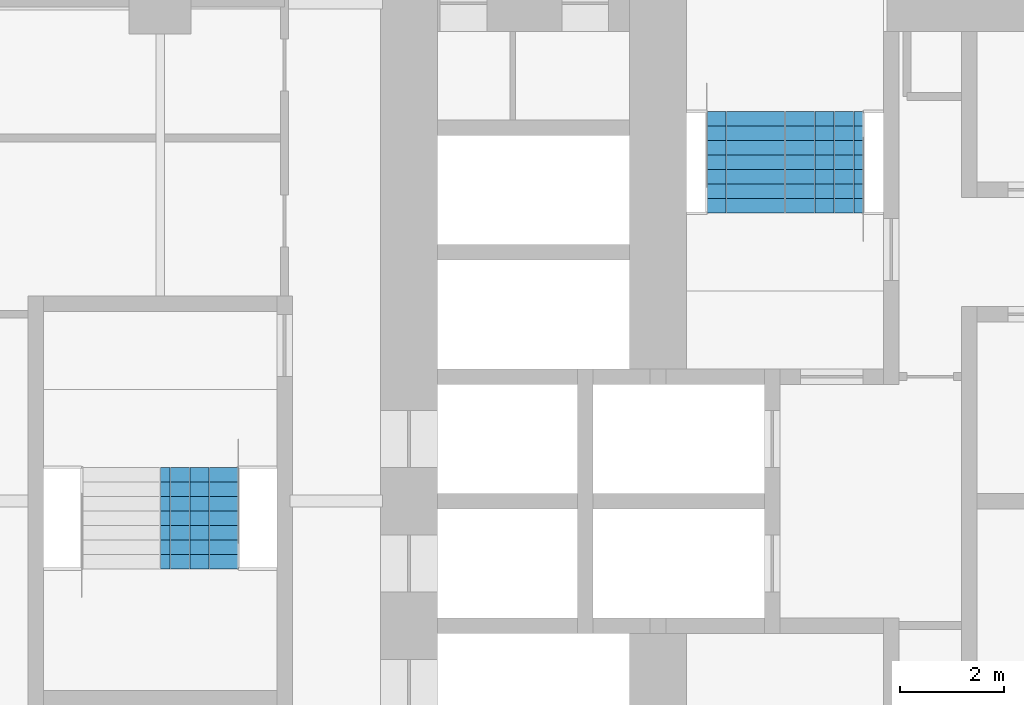
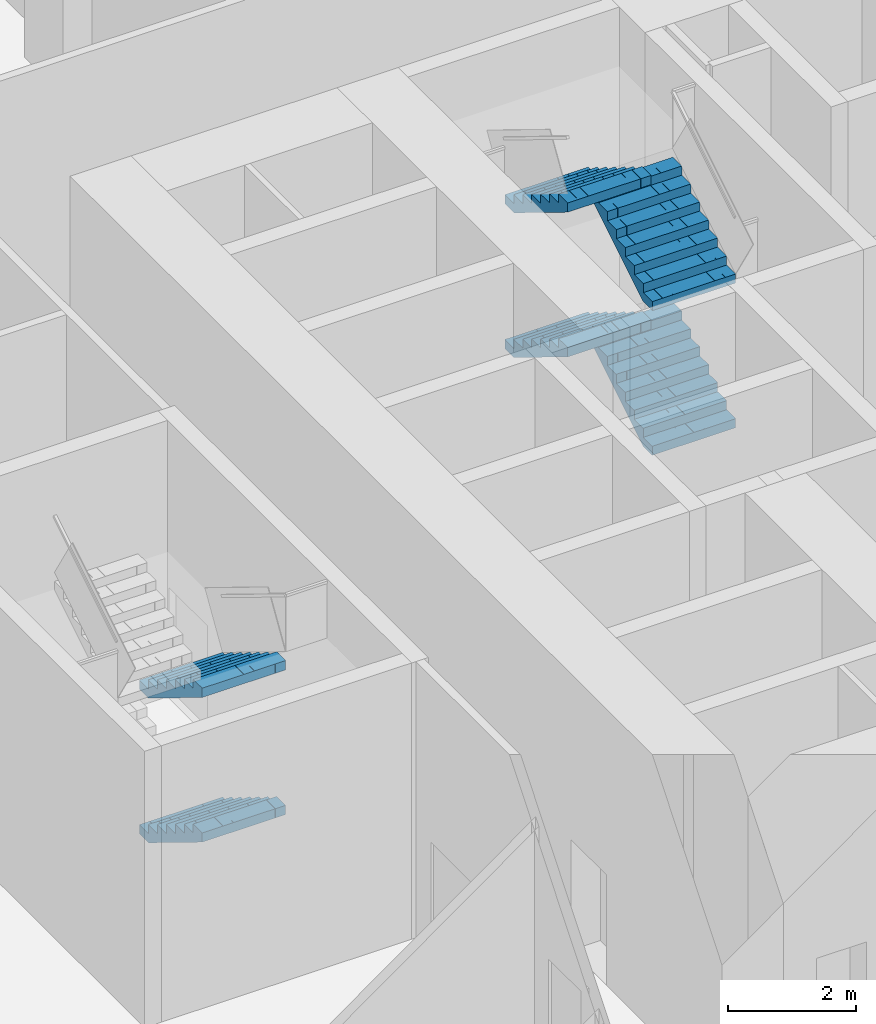
# One storey, part 24 of 27: 6 stair flights, 2 elements without a shape of their own.
"""IFC4 building model written with IfcOpenShell, lengths in metres."""

from ifc_helpers import new_model, si_unit, direction, frame, origin, place, context, subcontext, project, spatial, polyline, outline, extrude, material, type_object, element, aggregate, save


model = new_model("IFC4")

# Units and contexts
model_context = context("Model", 3, precision=1e-05, world=origin(), true_north=direction((0.0, 1.0)))
body_context = subcontext(model_context, "Body", "Model", "MODEL_VIEW")
ifc_project = project(units=[si_unit("LENGTHUNIT", "METRE"), si_unit("AREAUNIT", "SQUARE_METRE"), si_unit("VOLUMEUNIT", "CUBIC_METRE"), si_unit("PLANEANGLEUNIT", "RADIAN"), si_unit("MASSUNIT", "GRAM", prefix="KILO")], contexts=[model_context])

# Site, building, storey
site_placement = place(None, origin())
site = spatial("IfcSite", under=ifc_project, at=site_placement, CompositionType="ELEMENT")
building_placement = place(site_placement, origin())
building = spatial("IfcBuilding", under=site, at=building_placement, Name="Kolab Exchange Tower", CompositionType="ELEMENT")
storey_placement = place(building_placement, frame((0.0, 0.0, 27.89990234375)))
storey = spatial("IfcBuildingStorey", under=building, at=storey_placement, Name="L05", CompositionType="ELEMENT", Elevation=27.89990234375)

# Stair, stair flights
ifc_material = material(Name="Concrete C50/60", Category="concrete")
stair_type_1 = type_object("IfcStairType", Name="STAIR ST1 RISER 171.9", PredefinedType="DOUBLE_RETURN_STAIR", material=ifc_material)
stair_1_placement = place(storey_placement, origin())
stair_1 = element("IfcStair", 1, at=stair_1_placement, inside=storey, type_object=stair_type_1, Name="Stair 1", PredefinedType="DOUBLE_RETURN_STAIR")
stair_flight_type = type_object("IfcStairFlightType", Name="STAIR FLIGHT 1500 RISER 171.9", PredefinedType="STRAIGHT", material=ifc_material)
stair_flight_1_placement = place(storey_placement, frame((-6.389892578125, 5.550048828125, 0.0), z_axis=(0.0, 0.0, 1.0), x_axis=(0.0, 1.0, 0.0)))
stair_flight_1 = element("IfcStairFlight", 2, at=stair_flight_1_placement, type_object=stair_flight_type, Name="ST1 flight 1", NumberOfRisers=8, NumberOfTreads=7, PredefinedType="STRAIGHT", RiserHeight=0.171875, TreadLength=0.28, context=body_context, shape_type="SweptSolid", body=[
    extrude(outline(polyline([(0.0, 0.0), (0.0, 0.171875), (0.280029296875, 0.171875), (0.280029296875, 0.34375), (0.56005859375, 0.34375), (0.56005859375, 0.515625), (0.840087890625, 0.515625), (0.840087890625, 0.6875), (1.1201171875, 0.6875), (1.1201171875, 0.859375), (1.39990234375, 0.859375), (1.39990234375, 1.03125), (1.679931640625, 1.03125), (1.679931640625, 1.203125), (1.9599609375, 1.203125), (1.9599609375, 1.375), (1.9599609375, 1.02734375), (0.28662109375, 0.0), (0.0, 0.0)])), frame((0.0, 0.75, 0.0), z_axis=(0.0, -1.0, 0.0), x_axis=(1.0, 0.0, 0.0)), (0.0, 0.0, 1.0), 0.185791015625),
    extrude(outline(polyline([(0.0, 0.0), (0.0, 0.171875), (0.280029296875, 0.171875), (0.280029296875, 0.34375), (0.56005859375, 0.34375), (0.56005859375, 0.515625), (0.840087890625, 0.515625), (0.840087890625, 0.6875), (1.1201171875, 0.6875), (1.1201171875, 0.859375), (1.39990234375, 0.859375), (1.39990234375, 1.03125), (1.679931640625, 1.03125), (1.679931640625, 1.203125), (1.9599609375, 1.203125), (1.9599609375, 1.375), (1.9599609375, 1.02734375), (0.28662109375, 0.0), (0.0, 0.0)])), frame((0.0, 0.562255859375, 0.0), z_axis=(0.0, -1.0, 0.0), x_axis=(1.0, 0.0, 0.0)), (0.0, 0.0, 1.0), 0.185791015625),
    extrude(outline(polyline([(0.0, 0.0), (0.0, 0.171875), (0.280029296875, 0.171875), (0.280029296875, 0.34375), (0.56005859375, 0.34375), (0.56005859375, 0.515625), (0.840087890625, 0.515625), (0.840087890625, 0.6875), (1.1201171875, 0.6875), (1.1201171875, 0.859375), (1.39990234375, 0.859375), (1.39990234375, 1.03125), (1.679931640625, 1.03125), (1.679931640625, 1.203125), (1.9599609375, 1.203125), (1.9599609375, 1.375), (1.9599609375, 1.02734375), (0.28662109375, 0.0), (0.0, 0.0)])), frame((0.0, 0.37451171875, 0.0), z_axis=(0.0, -1.0, 0.0), x_axis=(1.0, 0.0, 0.0)), (0.0, 0.0, 1.0), 0.185791015625),
    extrude(outline(polyline([(0.0, 0.0), (0.0, 0.171875), (0.280029296875, 0.171875), (0.280029296875, 0.34375), (0.56005859375, 0.34375), (0.56005859375, 0.515625), (0.840087890625, 0.515625), (0.840087890625, 0.6875), (1.1201171875, 0.6875), (1.1201171875, 0.859375), (1.39990234375, 0.859375), (1.39990234375, 1.03125), (1.679931640625, 1.03125), (1.679931640625, 1.203125), (1.9599609375, 1.203125), (1.9599609375, 1.375), (1.9599609375, 1.02734375), (0.28662109375, 0.0), (0.0, 0.0)])), frame((0.0, 0.186767578125, 0.0), z_axis=(0.0, -1.0, 0.0), x_axis=(1.0, 0.0, 0.0)), (0.0, 0.0, 1.0), 0.185791015625),
    extrude(outline(polyline([(0.0, 0.0), (0.0, 0.171875), (0.280029296875, 0.171875), (0.280029296875, 0.34375), (0.56005859375, 0.34375), (0.56005859375, 0.515625), (0.840087890625, 0.515625), (0.840087890625, 0.6875), (1.1201171875, 0.6875), (1.1201171875, 0.859375), (1.39990234375, 0.859375), (1.39990234375, 1.03125), (1.679931640625, 1.03125), (1.679931640625, 1.203125), (1.9599609375, 1.203125), (1.9599609375, 1.375), (1.9599609375, 1.02734375), (0.28662109375, 0.0), (0.0, 0.0)])), frame((0.0, -0.0009765625, 0.0), z_axis=(0.0, -1.0, 0.0), x_axis=(1.0, 0.0, 0.0)), (0.0, 0.0, 1.0), 0.185791015625),
    extrude(outline(polyline([(0.0, 0.0), (0.0, 0.171875), (0.280029296875, 0.171875), (0.280029296875, 0.34375), (0.56005859375, 0.34375), (0.56005859375, 0.515625), (0.840087890625, 0.515625), (0.840087890625, 0.6875), (1.1201171875, 0.6875), (1.1201171875, 0.859375), (1.39990234375, 0.859375), (1.39990234375, 1.03125), (1.679931640625, 1.03125), (1.679931640625, 1.203125), (1.9599609375, 1.203125), (1.9599609375, 1.375), (1.9599609375, 1.02734375), (0.28662109375, 0.0), (0.0, 0.0)])), frame((0.0, -0.188720703125, 0.0), z_axis=(0.0, -1.0, 0.0), x_axis=(1.0, 0.0, 0.0)), (0.0, 0.0, 1.0), 0.185791015625),
    extrude(outline(polyline([(0.0, 0.0), (0.0, 0.171875), (0.280029296875, 0.171875), (0.280029296875, 0.34375), (0.56005859375, 0.34375), (0.56005859375, 0.515625), (0.840087890625, 0.515625), (0.840087890625, 0.6875), (1.1201171875, 0.6875), (1.1201171875, 0.859375), (1.39990234375, 0.859375), (1.39990234375, 1.03125), (1.679931640625, 1.03125), (1.679931640625, 1.203125), (1.9599609375, 1.203125), (1.9599609375, 1.375), (1.9599609375, 1.02734375), (0.28662109375, 0.0), (0.0, 0.0)])), frame((0.0, -0.37646484375, 0.0), z_axis=(0.0, -1.0, 0.0), x_axis=(1.0, 0.0, 0.0)), (0.0, 0.0, 1.0), 0.185791015625),
    extrude(outline(polyline([(0.0, 0.0), (0.0, 0.171875), (0.280029296875, 0.171875), (0.280029296875, 0.34375), (0.56005859375, 0.34375), (0.56005859375, 0.515625), (0.840087890625, 0.515625), (0.840087890625, 0.6875), (1.1201171875, 0.6875), (1.1201171875, 0.859375), (1.39990234375, 0.859375), (1.39990234375, 1.03125), (1.679931640625, 1.03125), (1.679931640625, 1.203125), (1.9599609375, 1.203125), (1.9599609375, 1.375), (1.9599609375, 1.02734375), (0.28662109375, 0.0), (0.0, 0.0)])), frame((0.0, -0.564208984375, 0.0), z_axis=(0.0, -1.0, 0.0), x_axis=(1.0, 0.0, 0.0)), (0.0, 0.0, 1.0), 0.185791015625),
])
stair_flight_2_placement = place(storey_placement, frame((-7.909912109375, 7.510009765625, 1.375), z_axis=(0.0, 0.0, 1.0), x_axis=(0.0, -1.0, 0.0)))
stair_flight_2 = element("IfcStairFlight", 3, at=stair_flight_2_placement, type_object=stair_flight_type, Name="ST1 flight 2", NumberOfRisers=8, NumberOfTreads=7, PredefinedType="STRAIGHT", RiserHeight=0.171875, TreadLength=0.28, context=body_context, shape_type="SweptSolid", body=[
    extrude(outline(polyline([(0.0, 0.0), (0.0, 0.171875), (0.280029296875, 0.171875), (0.280029296875, 0.34375), (0.56005859375, 0.34375), (0.56005859375, 0.515625), (0.840087890625, 0.515625), (0.840087890625, 0.6875), (1.1201171875, 0.6875), (1.1201171875, 0.859375), (1.39990234375, 0.859375), (1.39990234375, 1.03125), (1.679931640625, 1.03125), (1.679931640625, 1.203125), (1.9599609375, 1.203125), (1.9599609375, 1.375), (1.9599609375, 1.02734375), (0.28662109375, 0.0), (0.0, 0.0)])), frame((0.0, 0.75, 0.0), z_axis=(0.0, -1.0, 0.0), x_axis=(1.0, 0.0, 0.0)), (0.0, 0.0, 1.0), 0.185791015625),
    extrude(outline(polyline([(0.0, 0.0), (0.0, 0.171875), (0.280029296875, 0.171875), (0.280029296875, 0.34375), (0.56005859375, 0.34375), (0.56005859375, 0.515625), (0.840087890625, 0.515625), (0.840087890625, 0.6875), (1.1201171875, 0.6875), (1.1201171875, 0.859375), (1.39990234375, 0.859375), (1.39990234375, 1.03125), (1.679931640625, 1.03125), (1.679931640625, 1.203125), (1.9599609375, 1.203125), (1.9599609375, 1.375), (1.9599609375, 1.02734375), (0.28662109375, 0.0), (0.0, 0.0)])), frame((0.0, 0.562255859375, 0.0), z_axis=(0.0, -1.0, 0.0), x_axis=(1.0, 0.0, 0.0)), (0.0, 0.0, 1.0), 0.185791015625),
    extrude(outline(polyline([(0.0, 0.0), (0.0, 0.171875), (0.280029296875, 0.171875), (0.280029296875, 0.34375), (0.56005859375, 0.34375), (0.56005859375, 0.515625), (0.840087890625, 0.515625), (0.840087890625, 0.6875), (1.1201171875, 0.6875), (1.1201171875, 0.859375), (1.39990234375, 0.859375), (1.39990234375, 1.03125), (1.679931640625, 1.03125), (1.679931640625, 1.203125), (1.9599609375, 1.203125), (1.9599609375, 1.375), (1.9599609375, 1.02734375), (0.28662109375, 0.0), (0.0, 0.0)])), frame((0.0, 0.37451171875, 0.0), z_axis=(0.0, -1.0, 0.0), x_axis=(1.0, 0.0, 0.0)), (0.0, 0.0, 1.0), 0.185791015625),
    extrude(outline(polyline([(0.0, 0.0), (0.0, 0.171875), (0.280029296875, 0.171875), (0.280029296875, 0.34375), (0.56005859375, 0.34375), (0.56005859375, 0.515625), (0.840087890625, 0.515625), (0.840087890625, 0.6875), (1.1201171875, 0.6875), (1.1201171875, 0.859375), (1.39990234375, 0.859375), (1.39990234375, 1.03125), (1.679931640625, 1.03125), (1.679931640625, 1.203125), (1.9599609375, 1.203125), (1.9599609375, 1.375), (1.9599609375, 1.02734375), (0.28662109375, 0.0), (0.0, 0.0)])), frame((0.0, 0.186767578125, 0.0), z_axis=(0.0, -1.0, 0.0), x_axis=(1.0, 0.0, 0.0)), (0.0, 0.0, 1.0), 0.185791015625),
    extrude(outline(polyline([(0.0, 0.0), (0.0, 0.171875), (0.280029296875, 0.171875), (0.280029296875, 0.34375), (0.56005859375, 0.34375), (0.56005859375, 0.515625), (0.840087890625, 0.515625), (0.840087890625, 0.6875), (1.1201171875, 0.6875), (1.1201171875, 0.859375), (1.39990234375, 0.859375), (1.39990234375, 1.03125), (1.679931640625, 1.03125), (1.679931640625, 1.203125), (1.9599609375, 1.203125), (1.9599609375, 1.375), (1.9599609375, 1.02734375), (0.28662109375, 0.0), (0.0, 0.0)])), frame((0.0, -0.0009765625, 0.0), z_axis=(0.0, -1.0, 0.0), x_axis=(1.0, 0.0, 0.0)), (0.0, 0.0, 1.0), 0.185791015625),
    extrude(outline(polyline([(0.0, 0.0), (0.0, 0.171875), (0.280029296875, 0.171875), (0.280029296875, 0.34375), (0.56005859375, 0.34375), (0.56005859375, 0.515625), (0.840087890625, 0.515625), (0.840087890625, 0.6875), (1.1201171875, 0.6875), (1.1201171875, 0.859375), (1.39990234375, 0.859375), (1.39990234375, 1.03125), (1.679931640625, 1.03125), (1.679931640625, 1.203125), (1.9599609375, 1.203125), (1.9599609375, 1.375), (1.9599609375, 1.02734375), (0.28662109375, 0.0), (0.0, 0.0)])), frame((0.0, -0.188720703125, 0.0), z_axis=(0.0, -1.0, 0.0), x_axis=(1.0, 0.0, 0.0)), (0.0, 0.0, 1.0), 0.185791015625),
    extrude(outline(polyline([(0.0, 0.0), (0.0, 0.171875), (0.280029296875, 0.171875), (0.280029296875, 0.34375), (0.56005859375, 0.34375), (0.56005859375, 0.515625), (0.840087890625, 0.515625), (0.840087890625, 0.6875), (1.1201171875, 0.6875), (1.1201171875, 0.859375), (1.39990234375, 0.859375), (1.39990234375, 1.03125), (1.679931640625, 1.03125), (1.679931640625, 1.203125), (1.9599609375, 1.203125), (1.9599609375, 1.375), (1.9599609375, 1.02734375), (0.28662109375, 0.0), (0.0, 0.0)])), frame((0.0, -0.37646484375, 0.0), z_axis=(0.0, -1.0, 0.0), x_axis=(1.0, 0.0, 0.0)), (0.0, 0.0, 1.0), 0.185791015625),
    extrude(outline(polyline([(0.0, 0.0), (0.0, 0.171875), (0.280029296875, 0.171875), (0.280029296875, 0.34375), (0.56005859375, 0.34375), (0.56005859375, 0.515625), (0.840087890625, 0.515625), (0.840087890625, 0.6875), (1.1201171875, 0.6875), (1.1201171875, 0.859375), (1.39990234375, 0.859375), (1.39990234375, 1.03125), (1.679931640625, 1.03125), (1.679931640625, 1.203125), (1.9599609375, 1.203125), (1.9599609375, 1.375), (1.9599609375, 1.02734375), (0.28662109375, 0.0), (0.0, 0.0)])), frame((0.0, -0.564208984375, 0.0), z_axis=(0.0, -1.0, 0.0), x_axis=(1.0, 0.0, 0.0)), (0.0, 0.0, 1.0), 0.185791015625),
])
stair_flight_3_placement = place(storey_placement, frame((-6.389892578125, 5.550048828125, 2.75), z_axis=(0.0, 0.0, 1.0), x_axis=(0.0, 1.0, 0.0)))
stair_flight_3 = element("IfcStairFlight", 4, at=stair_flight_3_placement, type_object=stair_flight_type, Name="ST1 flight 3", NumberOfRisers=8, NumberOfTreads=7, PredefinedType="STRAIGHT", RiserHeight=0.171875, TreadLength=0.28, context=body_context, shape_type="SweptSolid", body=[
    extrude(outline(polyline([(0.0, 0.0), (0.0, 0.171875), (0.280029296875, 0.171875), (0.280029296875, 0.34375), (0.56005859375, 0.34375), (0.56005859375, 0.515625), (0.840087890625, 0.515625), (0.840087890625, 0.6875), (1.1201171875, 0.6875), (1.1201171875, 0.859375), (1.39990234375, 0.859375), (1.39990234375, 1.03125), (1.679931640625, 1.03125), (1.679931640625, 1.203125), (1.9599609375, 1.203125), (1.9599609375, 1.375), (1.9599609375, 1.02734375), (0.28662109375, 0.0), (0.0, 0.0)])), frame((0.0, 0.75, 0.0), z_axis=(0.0, -1.0, 0.0), x_axis=(1.0, 0.0, 0.0)), (0.0, 0.0, 1.0), 0.185791015625),
    extrude(outline(polyline([(0.0, 0.0), (0.0, 0.171875), (0.280029296875, 0.171875), (0.280029296875, 0.34375), (0.56005859375, 0.34375), (0.56005859375, 0.515625), (0.840087890625, 0.515625), (0.840087890625, 0.6875), (1.1201171875, 0.6875), (1.1201171875, 0.859375), (1.39990234375, 0.859375), (1.39990234375, 1.03125), (1.679931640625, 1.03125), (1.679931640625, 1.203125), (1.9599609375, 1.203125), (1.9599609375, 1.375), (1.9599609375, 1.02734375), (0.28662109375, 0.0), (0.0, 0.0)])), frame((0.0, 0.562255859375, 0.0), z_axis=(0.0, -1.0, 0.0), x_axis=(1.0, 0.0, 0.0)), (0.0, 0.0, 1.0), 0.185791015625),
    extrude(outline(polyline([(0.0, 0.0), (0.0, 0.171875), (0.280029296875, 0.171875), (0.280029296875, 0.34375), (0.56005859375, 0.34375), (0.56005859375, 0.515625), (0.840087890625, 0.515625), (0.840087890625, 0.6875), (1.1201171875, 0.6875), (1.1201171875, 0.859375), (1.39990234375, 0.859375), (1.39990234375, 1.03125), (1.679931640625, 1.03125), (1.679931640625, 1.203125), (1.9599609375, 1.203125), (1.9599609375, 1.375), (1.9599609375, 1.02734375), (0.28662109375, 0.0), (0.0, 0.0)])), frame((0.0, 0.37451171875, 0.0), z_axis=(0.0, -1.0, 0.0), x_axis=(1.0, 0.0, 0.0)), (0.0, 0.0, 1.0), 0.185791015625),
    extrude(outline(polyline([(0.0, 0.0), (0.0, 0.171875), (0.280029296875, 0.171875), (0.280029296875, 0.34375), (0.56005859375, 0.34375), (0.56005859375, 0.515625), (0.840087890625, 0.515625), (0.840087890625, 0.6875), (1.1201171875, 0.6875), (1.1201171875, 0.859375), (1.39990234375, 0.859375), (1.39990234375, 1.03125), (1.679931640625, 1.03125), (1.679931640625, 1.203125), (1.9599609375, 1.203125), (1.9599609375, 1.375), (1.9599609375, 1.02734375), (0.28662109375, 0.0), (0.0, 0.0)])), frame((0.0, 0.186767578125, 0.0), z_axis=(0.0, -1.0, 0.0), x_axis=(1.0, 0.0, 0.0)), (0.0, 0.0, 1.0), 0.185791015625),
    extrude(outline(polyline([(0.0, 0.0), (0.0, 0.171875), (0.280029296875, 0.171875), (0.280029296875, 0.34375), (0.56005859375, 0.34375), (0.56005859375, 0.515625), (0.840087890625, 0.515625), (0.840087890625, 0.6875), (1.1201171875, 0.6875), (1.1201171875, 0.859375), (1.39990234375, 0.859375), (1.39990234375, 1.03125), (1.679931640625, 1.03125), (1.679931640625, 1.203125), (1.9599609375, 1.203125), (1.9599609375, 1.375), (1.9599609375, 1.02734375), (0.28662109375, 0.0), (0.0, 0.0)])), frame((0.0, -0.0009765625, 0.0), z_axis=(0.0, -1.0, 0.0), x_axis=(1.0, 0.0, 0.0)), (0.0, 0.0, 1.0), 0.185791015625),
    extrude(outline(polyline([(0.0, 0.0), (0.0, 0.171875), (0.280029296875, 0.171875), (0.280029296875, 0.34375), (0.56005859375, 0.34375), (0.56005859375, 0.515625), (0.840087890625, 0.515625), (0.840087890625, 0.6875), (1.1201171875, 0.6875), (1.1201171875, 0.859375), (1.39990234375, 0.859375), (1.39990234375, 1.03125), (1.679931640625, 1.03125), (1.679931640625, 1.203125), (1.9599609375, 1.203125), (1.9599609375, 1.375), (1.9599609375, 1.02734375), (0.28662109375, 0.0), (0.0, 0.0)])), frame((0.0, -0.188720703125, 0.0), z_axis=(0.0, -1.0, 0.0), x_axis=(1.0, 0.0, 0.0)), (0.0, 0.0, 1.0), 0.185791015625),
    extrude(outline(polyline([(0.0, 0.0), (0.0, 0.171875), (0.280029296875, 0.171875), (0.280029296875, 0.34375), (0.56005859375, 0.34375), (0.56005859375, 0.515625), (0.840087890625, 0.515625), (0.840087890625, 0.6875), (1.1201171875, 0.6875), (1.1201171875, 0.859375), (1.39990234375, 0.859375), (1.39990234375, 1.03125), (1.679931640625, 1.03125), (1.679931640625, 1.203125), (1.9599609375, 1.203125), (1.9599609375, 1.375), (1.9599609375, 1.02734375), (0.28662109375, 0.0), (0.0, 0.0)])), frame((0.0, -0.37646484375, 0.0), z_axis=(0.0, -1.0, 0.0), x_axis=(1.0, 0.0, 0.0)), (0.0, 0.0, 1.0), 0.185791015625),
    extrude(outline(polyline([(0.0, 0.0), (0.0, 0.171875), (0.280029296875, 0.171875), (0.280029296875, 0.34375), (0.56005859375, 0.34375), (0.56005859375, 0.515625), (0.840087890625, 0.515625), (0.840087890625, 0.6875), (1.1201171875, 0.6875), (1.1201171875, 0.859375), (1.39990234375, 0.859375), (1.39990234375, 1.03125), (1.679931640625, 1.03125), (1.679931640625, 1.203125), (1.9599609375, 1.203125), (1.9599609375, 1.375), (1.9599609375, 1.02734375), (0.28662109375, 0.0), (0.0, 0.0)])), frame((0.0, -0.564208984375, 0.0), z_axis=(0.0, -1.0, 0.0), x_axis=(1.0, 0.0, 0.0)), (0.0, 0.0, 1.0), 0.185791015625),
])
stair_flight_4_placement = place(storey_placement, frame((-7.909912109375, 7.510009765625, 4.125), z_axis=(0.0, 0.0, 1.0), x_axis=(0.0, -1.0, 0.0)))
stair_flight_4 = element("IfcStairFlight", 5, at=stair_flight_4_placement, type_object=stair_flight_type, Name="ST1 flight 4", NumberOfRisers=8, NumberOfTreads=7, PredefinedType="STRAIGHT", RiserHeight=0.171875, TreadLength=0.28, context=body_context, shape_type="SweptSolid", body=[
    extrude(outline(polyline([(0.0, 0.0), (0.0, 0.171875), (0.280029296875, 0.171875), (0.280029296875, 0.34375), (0.56005859375, 0.34375), (0.56005859375, 0.515625), (0.840087890625, 0.515625), (0.840087890625, 0.6875), (1.1201171875, 0.6875), (1.1201171875, 0.859375), (1.39990234375, 0.859375), (1.39990234375, 1.03125), (1.679931640625, 1.03125), (1.679931640625, 1.203125), (1.9599609375, 1.203125), (1.9599609375, 1.375), (1.9599609375, 1.02734375), (0.28662109375, 0.0), (0.0, 0.0)])), frame((0.0, 0.75, 0.0), z_axis=(0.0, -1.0, 0.0), x_axis=(1.0, 0.0, 0.0)), (0.0, 0.0, 1.0), 0.185791015625),
    extrude(outline(polyline([(0.0, 0.0), (0.0, 0.171875), (0.280029296875, 0.171875), (0.280029296875, 0.34375), (0.56005859375, 0.34375), (0.56005859375, 0.515625), (0.840087890625, 0.515625), (0.840087890625, 0.6875), (1.1201171875, 0.6875), (1.1201171875, 0.859375), (1.39990234375, 0.859375), (1.39990234375, 1.03125), (1.679931640625, 1.03125), (1.679931640625, 1.203125), (1.9599609375, 1.203125), (1.9599609375, 1.375), (1.9599609375, 1.02734375), (0.28662109375, 0.0), (0.0, 0.0)])), frame((0.0, 0.562255859375, 0.0), z_axis=(0.0, -1.0, 0.0), x_axis=(1.0, 0.0, 0.0)), (0.0, 0.0, 1.0), 0.185791015625),
    extrude(outline(polyline([(0.0, 0.0), (0.0, 0.171875), (0.280029296875, 0.171875), (0.280029296875, 0.34375), (0.56005859375, 0.34375), (0.56005859375, 0.515625), (0.840087890625, 0.515625), (0.840087890625, 0.6875), (1.1201171875, 0.6875), (1.1201171875, 0.859375), (1.39990234375, 0.859375), (1.39990234375, 1.03125), (1.679931640625, 1.03125), (1.679931640625, 1.203125), (1.9599609375, 1.203125), (1.9599609375, 1.375), (1.9599609375, 1.02734375), (0.28662109375, 0.0), (0.0, 0.0)])), frame((0.0, 0.37451171875, 0.0), z_axis=(0.0, -1.0, 0.0), x_axis=(1.0, 0.0, 0.0)), (0.0, 0.0, 1.0), 0.185791015625),
    extrude(outline(polyline([(0.0, 0.0), (0.0, 0.171875), (0.280029296875, 0.171875), (0.280029296875, 0.34375), (0.56005859375, 0.34375), (0.56005859375, 0.515625), (0.840087890625, 0.515625), (0.840087890625, 0.6875), (1.1201171875, 0.6875), (1.1201171875, 0.859375), (1.39990234375, 0.859375), (1.39990234375, 1.03125), (1.679931640625, 1.03125), (1.679931640625, 1.203125), (1.9599609375, 1.203125), (1.9599609375, 1.375), (1.9599609375, 1.02734375), (0.28662109375, 0.0), (0.0, 0.0)])), frame((0.0, 0.186767578125, 0.0), z_axis=(0.0, -1.0, 0.0), x_axis=(1.0, 0.0, 0.0)), (0.0, 0.0, 1.0), 0.185791015625),
    extrude(outline(polyline([(0.0, 0.0), (0.0, 0.171875), (0.280029296875, 0.171875), (0.280029296875, 0.34375), (0.56005859375, 0.34375), (0.56005859375, 0.515625), (0.840087890625, 0.515625), (0.840087890625, 0.6875), (1.1201171875, 0.6875), (1.1201171875, 0.859375), (1.39990234375, 0.859375), (1.39990234375, 1.03125), (1.679931640625, 1.03125), (1.679931640625, 1.203125), (1.9599609375, 1.203125), (1.9599609375, 1.375), (1.9599609375, 1.02734375), (0.28662109375, 0.0), (0.0, 0.0)])), frame((0.0, -0.0009765625, 0.0), z_axis=(0.0, -1.0, 0.0), x_axis=(1.0, 0.0, 0.0)), (0.0, 0.0, 1.0), 0.185791015625),
    extrude(outline(polyline([(0.0, 0.0), (0.0, 0.171875), (0.280029296875, 0.171875), (0.280029296875, 0.34375), (0.56005859375, 0.34375), (0.56005859375, 0.515625), (0.840087890625, 0.515625), (0.840087890625, 0.6875), (1.1201171875, 0.6875), (1.1201171875, 0.859375), (1.39990234375, 0.859375), (1.39990234375, 1.03125), (1.679931640625, 1.03125), (1.679931640625, 1.203125), (1.9599609375, 1.203125), (1.9599609375, 1.375), (1.9599609375, 1.02734375), (0.28662109375, 0.0), (0.0, 0.0)])), frame((0.0, -0.188720703125, 0.0), z_axis=(0.0, -1.0, 0.0), x_axis=(1.0, 0.0, 0.0)), (0.0, 0.0, 1.0), 0.185791015625),
    extrude(outline(polyline([(0.0, 0.0), (0.0, 0.171875), (0.280029296875, 0.171875), (0.280029296875, 0.34375), (0.56005859375, 0.34375), (0.56005859375, 0.515625), (0.840087890625, 0.515625), (0.840087890625, 0.6875), (1.1201171875, 0.6875), (1.1201171875, 0.859375), (1.39990234375, 0.859375), (1.39990234375, 1.03125), (1.679931640625, 1.03125), (1.679931640625, 1.203125), (1.9599609375, 1.203125), (1.9599609375, 1.375), (1.9599609375, 1.02734375), (0.28662109375, 0.0), (0.0, 0.0)])), frame((0.0, -0.37646484375, 0.0), z_axis=(0.0, -1.0, 0.0), x_axis=(1.0, 0.0, 0.0)), (0.0, 0.0, 1.0), 0.185791015625),
    extrude(outline(polyline([(0.0, 0.0), (0.0, 0.171875), (0.280029296875, 0.171875), (0.280029296875, 0.34375), (0.56005859375, 0.34375), (0.56005859375, 0.515625), (0.840087890625, 0.515625), (0.840087890625, 0.6875), (1.1201171875, 0.6875), (1.1201171875, 0.859375), (1.39990234375, 0.859375), (1.39990234375, 1.03125), (1.679931640625, 1.03125), (1.679931640625, 1.203125), (1.9599609375, 1.203125), (1.9599609375, 1.375), (1.9599609375, 1.02734375), (0.28662109375, 0.0), (0.0, 0.0)])), frame((0.0, -0.564208984375, 0.0), z_axis=(0.0, -1.0, 0.0), x_axis=(1.0, 0.0, 0.0)), (0.0, 0.0, 1.0), 0.185791015625),
])
aggregate(stair_1, [stair_flight_1, stair_flight_2, stair_flight_3, stair_flight_4])

stair_type_2 = type_object("IfcStairType", Name="STAIR ST5 RISER 171.9", PredefinedType="DOUBLE_RETURN_STAIR", material=ifc_material)
stair_2_placement = place(storey_placement, origin())
stair_2 = element("IfcStair", 6, at=stair_2_placement, inside=storey, type_object=stair_type_2, Name="Stair 5", PredefinedType="DOUBLE_RETURN_STAIR")
stair_flight_5_placement = place(storey_placement, frame((-18.43994140625, 0.64990234375, 0.0), z_axis=(0.0, 0.0, 1.0), x_axis=(0.0, -1.0, 0.0)))
stair_flight_5 = element("IfcStairFlight", 7, at=stair_flight_5_placement, type_object=stair_flight_type, Name="ST5 flight 1", NumberOfRisers=8, NumberOfTreads=7, PredefinedType="STRAIGHT", RiserHeight=0.171875, TreadLength=0.28, context=body_context, shape_type="SweptSolid", body=[
    extrude(outline(polyline([(0.0, 0.0), (0.0, 0.171875), (0.280029296875, 0.171875), (0.280029296875, 0.34375), (0.56005859375, 0.34375), (0.56005859375, 0.515625), (0.840087890625, 0.515625), (0.840087890625, 0.6875), (1.1201171875, 0.6875), (1.1201171875, 0.859375), (1.39990234375, 0.859375), (1.39990234375, 1.03125), (1.679931640625, 1.03125), (1.679931640625, 1.203125), (1.9599609375, 1.203125), (1.9599609375, 1.375), (1.9599609375, 1.02734375), (0.28662109375, 0.0), (0.0, 0.0)])), frame((0.0, 0.75, 0.0), z_axis=(0.0, -1.0, 0.0), x_axis=(1.0, 0.0, 0.0)), (0.0, 0.0, 1.0), 0.185791015625),
    extrude(outline(polyline([(0.0, 0.0), (0.0, 0.171875), (0.280029296875, 0.171875), (0.280029296875, 0.34375), (0.56005859375, 0.34375), (0.56005859375, 0.515625), (0.840087890625, 0.515625), (0.840087890625, 0.6875), (1.1201171875, 0.6875), (1.1201171875, 0.859375), (1.39990234375, 0.859375), (1.39990234375, 1.03125), (1.679931640625, 1.03125), (1.679931640625, 1.203125), (1.9599609375, 1.203125), (1.9599609375, 1.375), (1.9599609375, 1.02734375), (0.28662109375, 0.0), (0.0, 0.0)])), frame((0.0, 0.562255859375, 0.0), z_axis=(0.0, -1.0, 0.0), x_axis=(1.0, 0.0, 0.0)), (0.0, 0.0, 1.0), 0.185791015625),
    extrude(outline(polyline([(0.0, 0.0), (0.0, 0.171875), (0.280029296875, 0.171875), (0.280029296875, 0.34375), (0.56005859375, 0.34375), (0.56005859375, 0.515625), (0.840087890625, 0.515625), (0.840087890625, 0.6875), (1.1201171875, 0.6875), (1.1201171875, 0.859375), (1.39990234375, 0.859375), (1.39990234375, 1.03125), (1.679931640625, 1.03125), (1.679931640625, 1.203125), (1.9599609375, 1.203125), (1.9599609375, 1.375), (1.9599609375, 1.02734375), (0.28662109375, 0.0), (0.0, 0.0)])), frame((0.0, 0.37451171875, 0.0), z_axis=(0.0, -1.0, 0.0), x_axis=(1.0, 0.0, 0.0)), (0.0, 0.0, 1.0), 0.185791015625),
    extrude(outline(polyline([(0.0, 0.0), (0.0, 0.171875), (0.280029296875, 0.171875), (0.280029296875, 0.34375), (0.56005859375, 0.34375), (0.56005859375, 0.515625), (0.840087890625, 0.515625), (0.840087890625, 0.6875), (1.1201171875, 0.6875), (1.1201171875, 0.859375), (1.39990234375, 0.859375), (1.39990234375, 1.03125), (1.679931640625, 1.03125), (1.679931640625, 1.203125), (1.9599609375, 1.203125), (1.9599609375, 1.375), (1.9599609375, 1.02734375), (0.28662109375, 0.0), (0.0, 0.0)])), frame((0.0, 0.186767578125, 0.0), z_axis=(0.0, -1.0, 0.0), x_axis=(1.0, 0.0, 0.0)), (0.0, 0.0, 1.0), 0.185791015625),
    extrude(outline(polyline([(0.0, 0.0), (0.0, 0.171875), (0.280029296875, 0.171875), (0.280029296875, 0.34375), (0.56005859375, 0.34375), (0.56005859375, 0.515625), (0.840087890625, 0.515625), (0.840087890625, 0.6875), (1.1201171875, 0.6875), (1.1201171875, 0.859375), (1.39990234375, 0.859375), (1.39990234375, 1.03125), (1.679931640625, 1.03125), (1.679931640625, 1.203125), (1.9599609375, 1.203125), (1.9599609375, 1.375), (1.9599609375, 1.02734375), (0.28662109375, 0.0), (0.0, 0.0)])), frame((0.0, -0.0009765625, 0.0), z_axis=(0.0, -1.0, 0.0), x_axis=(1.0, 0.0, 0.0)), (0.0, 0.0, 1.0), 0.185791015625),
    extrude(outline(polyline([(0.0, 0.0), (0.0, 0.171875), (0.280029296875, 0.171875), (0.280029296875, 0.34375), (0.56005859375, 0.34375), (0.56005859375, 0.515625), (0.840087890625, 0.515625), (0.840087890625, 0.6875), (1.1201171875, 0.6875), (1.1201171875, 0.859375), (1.39990234375, 0.859375), (1.39990234375, 1.03125), (1.679931640625, 1.03125), (1.679931640625, 1.203125), (1.9599609375, 1.203125), (1.9599609375, 1.375), (1.9599609375, 1.02734375), (0.28662109375, 0.0), (0.0, 0.0)])), frame((0.0, -0.188720703125, 0.0), z_axis=(0.0, -1.0, 0.0), x_axis=(1.0, 0.0, 0.0)), (0.0, 0.0, 1.0), 0.185791015625),
    extrude(outline(polyline([(0.0, 0.0), (0.0, 0.171875), (0.280029296875, 0.171875), (0.280029296875, 0.34375), (0.56005859375, 0.34375), (0.56005859375, 0.515625), (0.840087890625, 0.515625), (0.840087890625, 0.6875), (1.1201171875, 0.6875), (1.1201171875, 0.859375), (1.39990234375, 0.859375), (1.39990234375, 1.03125), (1.679931640625, 1.03125), (1.679931640625, 1.203125), (1.9599609375, 1.203125), (1.9599609375, 1.375), (1.9599609375, 1.02734375), (0.28662109375, 0.0), (0.0, 0.0)])), frame((0.0, -0.37646484375, 0.0), z_axis=(0.0, -1.0, 0.0), x_axis=(1.0, 0.0, 0.0)), (0.0, 0.0, 1.0), 0.185791015625),
    extrude(outline(polyline([(0.0, 0.0), (0.0, 0.171875), (0.280029296875, 0.171875), (0.280029296875, 0.34375), (0.56005859375, 0.34375), (0.56005859375, 0.515625), (0.840087890625, 0.515625), (0.840087890625, 0.6875), (1.1201171875, 0.6875), (1.1201171875, 0.859375), (1.39990234375, 0.859375), (1.39990234375, 1.03125), (1.679931640625, 1.03125), (1.679931640625, 1.203125), (1.9599609375, 1.203125), (1.9599609375, 1.375), (1.9599609375, 1.02734375), (0.28662109375, 0.0), (0.0, 0.0)])), frame((0.0, -0.564208984375, 0.0), z_axis=(0.0, -1.0, 0.0), x_axis=(1.0, 0.0, 0.0)), (0.0, 0.0, 1.0), 0.185791015625),
])
stair_flight_6_placement = place(storey_placement, frame((-18.43994140625, 0.64990234375, 2.75), z_axis=(0.0, 0.0, 1.0), x_axis=(0.0, -1.0, 0.0)))
stair_flight_6 = element("IfcStairFlight", 8, at=stair_flight_6_placement, type_object=stair_flight_type, Name="ST5 flight 3", NumberOfRisers=8, NumberOfTreads=7, PredefinedType="STRAIGHT", RiserHeight=0.171875, TreadLength=0.28, context=body_context, shape_type="SweptSolid", body=[
    extrude(outline(polyline([(0.0, 0.0), (0.0, 0.171875), (0.280029296875, 0.171875), (0.280029296875, 0.34375), (0.56005859375, 0.34375), (0.56005859375, 0.515625), (0.840087890625, 0.515625), (0.840087890625, 0.6875), (1.1201171875, 0.6875), (1.1201171875, 0.859375), (1.39990234375, 0.859375), (1.39990234375, 1.03125), (1.679931640625, 1.03125), (1.679931640625, 1.203125), (1.9599609375, 1.203125), (1.9599609375, 1.375), (1.9599609375, 1.02734375), (0.28662109375, 0.0), (0.0, 0.0)])), frame((0.0, 0.75, 0.0), z_axis=(0.0, -1.0, 0.0), x_axis=(1.0, 0.0, 0.0)), (0.0, 0.0, 1.0), 0.185791015625),
    extrude(outline(polyline([(0.0, 0.0), (0.0, 0.171875), (0.280029296875, 0.171875), (0.280029296875, 0.34375), (0.56005859375, 0.34375), (0.56005859375, 0.515625), (0.840087890625, 0.515625), (0.840087890625, 0.6875), (1.1201171875, 0.6875), (1.1201171875, 0.859375), (1.39990234375, 0.859375), (1.39990234375, 1.03125), (1.679931640625, 1.03125), (1.679931640625, 1.203125), (1.9599609375, 1.203125), (1.9599609375, 1.375), (1.9599609375, 1.02734375), (0.28662109375, 0.0), (0.0, 0.0)])), frame((0.0, 0.562255859375, 0.0), z_axis=(0.0, -1.0, 0.0), x_axis=(1.0, 0.0, 0.0)), (0.0, 0.0, 1.0), 0.185791015625),
    extrude(outline(polyline([(0.0, 0.0), (0.0, 0.171875), (0.280029296875, 0.171875), (0.280029296875, 0.34375), (0.56005859375, 0.34375), (0.56005859375, 0.515625), (0.840087890625, 0.515625), (0.840087890625, 0.6875), (1.1201171875, 0.6875), (1.1201171875, 0.859375), (1.39990234375, 0.859375), (1.39990234375, 1.03125), (1.679931640625, 1.03125), (1.679931640625, 1.203125), (1.9599609375, 1.203125), (1.9599609375, 1.375), (1.9599609375, 1.02734375), (0.28662109375, 0.0), (0.0, 0.0)])), frame((0.0, 0.37451171875, 0.0), z_axis=(0.0, -1.0, 0.0), x_axis=(1.0, 0.0, 0.0)), (0.0, 0.0, 1.0), 0.185791015625),
    extrude(outline(polyline([(0.0, 0.0), (0.0, 0.171875), (0.280029296875, 0.171875), (0.280029296875, 0.34375), (0.56005859375, 0.34375), (0.56005859375, 0.515625), (0.840087890625, 0.515625), (0.840087890625, 0.6875), (1.1201171875, 0.6875), (1.1201171875, 0.859375), (1.39990234375, 0.859375), (1.39990234375, 1.03125), (1.679931640625, 1.03125), (1.679931640625, 1.203125), (1.9599609375, 1.203125), (1.9599609375, 1.375), (1.9599609375, 1.02734375), (0.28662109375, 0.0), (0.0, 0.0)])), frame((0.0, 0.186767578125, 0.0), z_axis=(0.0, -1.0, 0.0), x_axis=(1.0, 0.0, 0.0)), (0.0, 0.0, 1.0), 0.185791015625),
    extrude(outline(polyline([(0.0, 0.0), (0.0, 0.171875), (0.280029296875, 0.171875), (0.280029296875, 0.34375), (0.56005859375, 0.34375), (0.56005859375, 0.515625), (0.840087890625, 0.515625), (0.840087890625, 0.6875), (1.1201171875, 0.6875), (1.1201171875, 0.859375), (1.39990234375, 0.859375), (1.39990234375, 1.03125), (1.679931640625, 1.03125), (1.679931640625, 1.203125), (1.9599609375, 1.203125), (1.9599609375, 1.375), (1.9599609375, 1.02734375), (0.28662109375, 0.0), (0.0, 0.0)])), frame((0.0, -0.0009765625, 0.0), z_axis=(0.0, -1.0, 0.0), x_axis=(1.0, 0.0, 0.0)), (0.0, 0.0, 1.0), 0.185791015625),
    extrude(outline(polyline([(0.0, 0.0), (0.0, 0.171875), (0.280029296875, 0.171875), (0.280029296875, 0.34375), (0.56005859375, 0.34375), (0.56005859375, 0.515625), (0.840087890625, 0.515625), (0.840087890625, 0.6875), (1.1201171875, 0.6875), (1.1201171875, 0.859375), (1.39990234375, 0.859375), (1.39990234375, 1.03125), (1.679931640625, 1.03125), (1.679931640625, 1.203125), (1.9599609375, 1.203125), (1.9599609375, 1.375), (1.9599609375, 1.02734375), (0.28662109375, 0.0), (0.0, 0.0)])), frame((0.0, -0.188720703125, 0.0), z_axis=(0.0, -1.0, 0.0), x_axis=(1.0, 0.0, 0.0)), (0.0, 0.0, 1.0), 0.185791015625),
    extrude(outline(polyline([(0.0, 0.0), (0.0, 0.171875), (0.280029296875, 0.171875), (0.280029296875, 0.34375), (0.56005859375, 0.34375), (0.56005859375, 0.515625), (0.840087890625, 0.515625), (0.840087890625, 0.6875), (1.1201171875, 0.6875), (1.1201171875, 0.859375), (1.39990234375, 0.859375), (1.39990234375, 1.03125), (1.679931640625, 1.03125), (1.679931640625, 1.203125), (1.9599609375, 1.203125), (1.9599609375, 1.375), (1.9599609375, 1.02734375), (0.28662109375, 0.0), (0.0, 0.0)])), frame((0.0, -0.37646484375, 0.0), z_axis=(0.0, -1.0, 0.0), x_axis=(1.0, 0.0, 0.0)), (0.0, 0.0, 1.0), 0.185791015625),
    extrude(outline(polyline([(0.0, 0.0), (0.0, 0.171875), (0.280029296875, 0.171875), (0.280029296875, 0.34375), (0.56005859375, 0.34375), (0.56005859375, 0.515625), (0.840087890625, 0.515625), (0.840087890625, 0.6875), (1.1201171875, 0.6875), (1.1201171875, 0.859375), (1.39990234375, 0.859375), (1.39990234375, 1.03125), (1.679931640625, 1.03125), (1.679931640625, 1.203125), (1.9599609375, 1.203125), (1.9599609375, 1.375), (1.9599609375, 1.02734375), (0.28662109375, 0.0), (0.0, 0.0)])), frame((0.0, -0.564208984375, 0.0), z_axis=(0.0, -1.0, 0.0), x_axis=(1.0, 0.0, 0.0)), (0.0, 0.0, 1.0), 0.185791015625),
])
aggregate(stair_2, [stair_flight_5, stair_flight_6])

save(model, "model.ifc")
